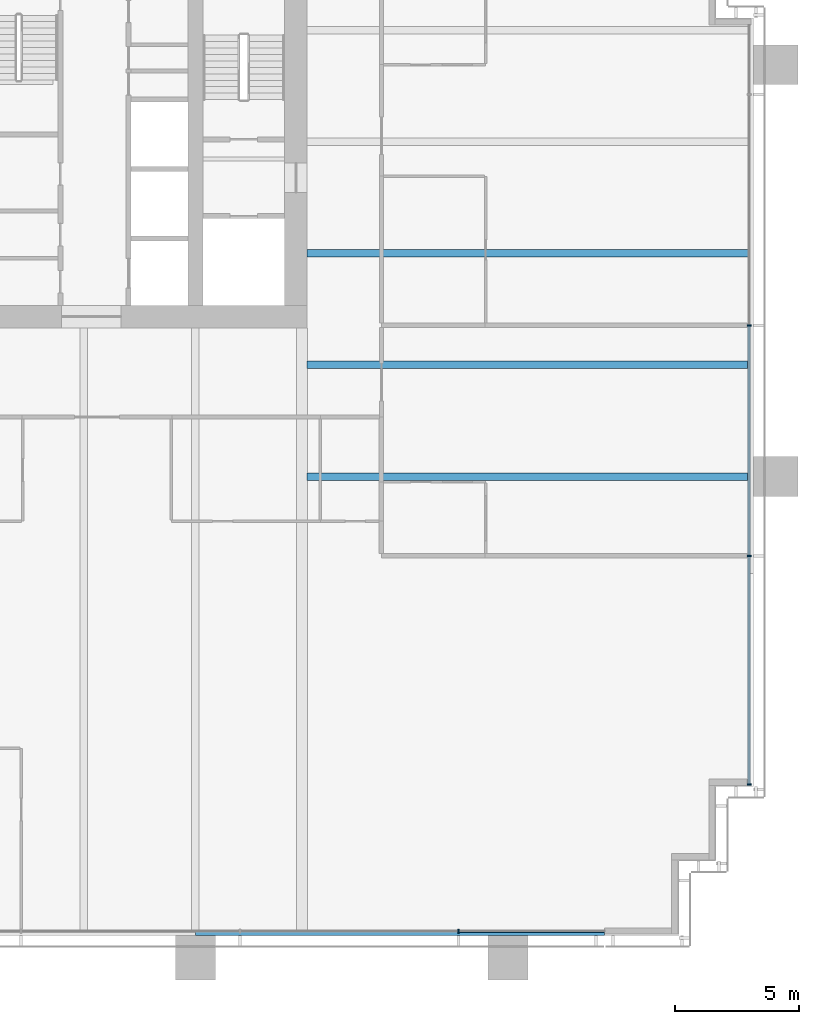
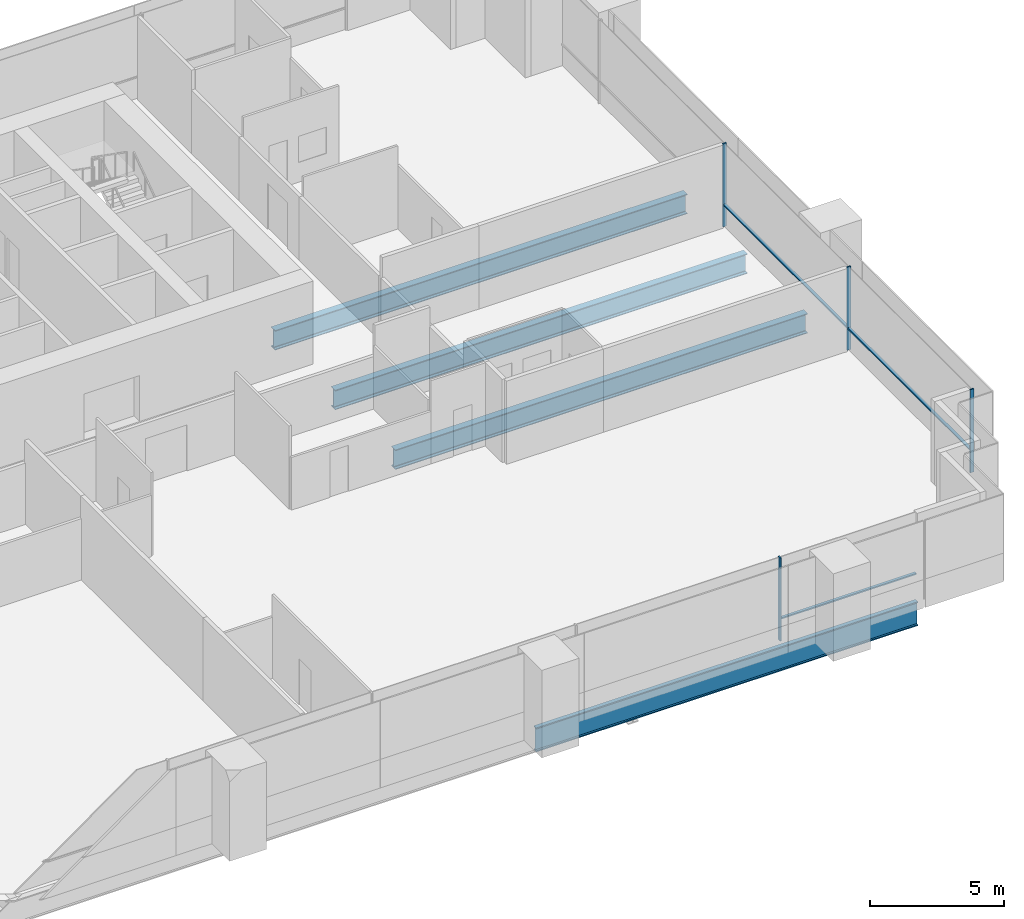
# One storey, part 6 of 19: 7 members, 4 beams, 2 elements without a shape of their own.
"""IFC4 building model written with IfcOpenShell, lengths in metres."""

import ifcopenshell
import ifcopenshell.guid

model = None  # the IFC model being written
_history = None  # IfcOwnerHistory: only IFC2X3 demands one
_inside = {}  # id of a spatial element -> (the spatial element, [elements in it])
_under = {}  # id of a project, library or spatial element -> (it, [spatial elements below it])
_declared = {}  # id of a project -> (the project, [libraries it declares])
_typed = {}  # id of a type object -> (the type object, [elements of that type])
_made_of = {}  # id of a material, layer set ... -> (it, [elements and type objects made of it])


def new_model(schema):
    """Start an empty IFC model of exactly this schema.

    Asked for "IFC4X3", IfcOpenShell would pick the latest addendum, in which some entities
    have other attributes; the version numbers below select the first issue.
    IFC2X3 requires an IfcOwnerHistory on every rooted entity: one is made here for all.
    """
    global model, _history
    if schema == "IFC4X3":
        model = ifcopenshell.file(schema_version=(4, 3, 0, 0))
    else:
        model = ifcopenshell.file(schema=schema)
    _inside.clear()
    _under.clear()
    _declared.clear()
    _typed.clear()
    _made_of.clear()
    _history = None
    if model.schema == "IFC2X3":
        org = make("IfcOrganization", Name="unknown")
        user = make(
            "IfcPersonAndOrganization",
            ThePerson=make("IfcPerson", FamilyName="unknown"),
            TheOrganization=org,
        )
        app = make(
            "IfcApplication",
            ApplicationDeveloper=org,
            Version="unknown",
            ApplicationFullName="unknown",
            ApplicationIdentifier="unknown",
        )
        _history = make(
            "IfcOwnerHistory",
            OwningUser=user,
            OwningApplication=app,
            ChangeAction="ADDED",
            CreationDate=0,
        )
    return model


def make(cls, **values):
    """One entity of the class cls with the attributes given. An attribute that is None is left unset."""
    return model.create_entity(
        cls, **{name: value for name, value in values.items() if value is not None}
    )


def rooted(cls, **values):
    """An entity with a GlobalId (a new one), such as an element, a storey or a relation."""
    return make(cls, GlobalId=ifcopenshell.guid.new(), OwnerHistory=_history, **values)


def si_unit(unit_type, name, prefix=None):
    """IfcSIUnit, for example si_unit("LENGTHUNIT", "METRE", prefix="MILLI")."""
    return make("IfcSIUnit", UnitType=unit_type, Prefix=prefix, Name=name)


def assignment(units):
    """IfcUnitAssignment: the units of a project."""
    return None if units is None else make("IfcUnitAssignment", Units=units)


def point(xyz):
    """IfcCartesianPoint."""
    return None if xyz is None else make("IfcCartesianPoint", Coordinates=xyz)


def direction(xyz):
    """IfcDirection."""
    return None if xyz is None else make("IfcDirection", DirectionRatios=xyz)


def frame(location, z_axis=None, x_axis=None):
    """IfcAxis2Placement3D, a coordinate frame: its origin and axes. An axis left out is left unset."""
    return make(
        "IfcAxis2Placement3D",
        Location=point(location),
        Axis=direction(z_axis),
        RefDirection=direction(x_axis),
    )


def frame_2d(location, x_axis=None):
    """IfcAxis2Placement2D, a coordinate frame in the plane: its origin and x axis."""
    return make(
        "IfcAxis2Placement2D", Location=point(location), RefDirection=direction(x_axis)
    )


def origin():
    """The frame at (0, 0, 0) with its axes left unset."""
    return frame((0.0, 0.0, 0.0))


def origin_2d():
    """The frame at (0, 0) in the plane with its x axis left unset."""
    return frame_2d((0.0, 0.0))


def place(relative_to, where):
    """IfcLocalPlacement: puts the frame where relative to a parent placement (None: the world)."""
    return make(
        "IfcLocalPlacement", PlacementRelTo=relative_to, RelativePlacement=where
    )


def context(
    kind, dimensions, precision=None, world=None, true_north=None, identifier=None
):
    """IfcGeometricRepresentationContext, for example the 3D "Model" context."""
    return make(
        "IfcGeometricRepresentationContext",
        ContextIdentifier=identifier,
        ContextType=kind,
        CoordinateSpaceDimension=dimensions,
        Precision=precision,
        WorldCoordinateSystem=world,
        TrueNorth=true_north,
    )


def subcontext(parent, identifier, kind, view, scale=None):
    """IfcGeometricRepresentationSubContext, for example "Body" below "Model"."""
    return make(
        "IfcGeometricRepresentationSubContext",
        ContextIdentifier=identifier,
        ContextType=kind,
        ParentContext=parent,
        TargetScale=scale,
        TargetView=view,
    )


def project(units=None, contexts=None):
    """IfcProject with its units and contexts."""
    return rooted(
        "IfcProject",
        Name="project",
        RepresentationContexts=contexts,
        UnitsInContext=assignment(units),
    )


def spatial(cls, under=None, at=None, **own):
    """A site, building, storey or space (cls), placed at a placement, below another one or the project."""
    s = rooted(cls, ObjectPlacement=at, **own)
    if under is not None:
        _under.setdefault(under.id(), (under, []))[1].append(s)
    return s


def profile(cls, at=None, kind="AREA", **sizes):
    """A parametric profile (cls). Its sizes go by their IFC names, for example OverallWidth=200.0."""
    return make(cls, ProfileType=kind, Position=at, **sizes)


def rectangle(**sizes):
    """IfcRectangleProfileDef."""
    return profile("IfcRectangleProfileDef", **sizes)


def i_section(**sizes):
    """IfcIShapeProfileDef."""
    return profile("IfcIShapeProfileDef", **sizes)


def extrude(swept, where, along, depth):
    """IfcExtrudedAreaSolid: the profile swept, set in the frame where, extruded along a direction by depth."""
    return make(
        "IfcExtrudedAreaSolid",
        SweptArea=swept,
        Position=where,
        ExtrudedDirection=direction(along),
        Depth=depth,
    )


def shape(context_of_items, identifier, shape_type, items):
    """IfcShapeRepresentation: the items that make up one representation, for example the "Body"."""
    return make(
        "IfcShapeRepresentation",
        ContextOfItems=context_of_items,
        RepresentationIdentifier=identifier,
        RepresentationType=shape_type,
        Items=items,
    )


def material(Name=None, Category=None):
    """IfcMaterial."""
    return make("IfcMaterial", Name=Name, Category=Category)


def material_profile(
    of_material, cross_section, Name=None, Category=None, Priority=None
):
    """IfcMaterialProfile: a cross section and its material."""
    return make(
        "IfcMaterialProfile",
        Name=Name,
        Material=of_material,
        Profile=cross_section,
        Priority=Priority,
        Category=Category,
    )


def profile_set(profiles, Name=None, composite=None):
    """IfcMaterialProfileSet."""
    return make(
        "IfcMaterialProfileSet",
        Name=Name,
        MaterialProfiles=profiles,
        CompositeProfile=composite,
    )


def made_of(thing, what):
    """Note that an element or type object is made of a material, layer set ...; save() writes the relation."""
    if what is not None:
        _made_of.setdefault(what.id(), (what, []))[1].append(thing)
    return thing


def type_object(cls, material=None, **own):
    """A type object (cls), such as IfcWallType, which elements share."""
    return made_of(rooted(cls, **own), material)


def element(
    cls,
    number,
    at=None,
    inside=None,
    cuts=None,
    type_object=None,
    material=None,
    context=None,
    identifier="Body",
    shape_type=None,
    held_by="IfcProductDefinitionShape",
    body=None,
    shapes=None,
    **own,
):
    """One element of the class cls, such as IfcWall. Its Tag is "e" and its number.

    at: its placement. inside: the storey or other place that contains it. cuts: it is an
    opening in that element (IfcRelVoidsElement). A single representation is given by context,
    identifier, shape_type and body (its items); several are given by shapes. held_by: the class
    of the entity that holds the representations. save() writes the other relations.
    """
    e = rooted(cls, Tag="e%d" % number, ObjectPlacement=at, **own)
    if body is not None:
        shapes = [shape(context, identifier, shape_type, body)]
    if shapes is not None:
        e.Representation = make(held_by, Representations=shapes)
    if inside is not None:
        _inside.setdefault(inside.id(), (inside, []))[1].append(e)
    if cuts is not None:
        rooted(
            "IfcRelVoidsElement", RelatingBuildingElement=cuts, RelatedOpeningElement=e
        )
    if type_object is not None:
        _typed.setdefault(type_object.id(), (type_object, []))[1].append(e)
    return made_of(e, material)


def aggregate(whole, parts):
    """IfcRelAggregates: a whole, such as a stair, and the parts it consists of."""
    return rooted("IfcRelAggregates", RelatingObject=whole, RelatedObjects=parts)


def save(model, path):
    """Write the relations noted so far, then the file.

    IfcRelAggregates (storeys below a building ...), IfcRelContainedInSpatialStructure (elements
    in a storey), IfcRelDefinesByType, IfcRelAssociatesMaterial and IfcRelDeclares: one each for
    every whole, place, type object, material and project.
    """
    for whole, parts in _under.values():
        aggregate(whole, parts)
    for where, things in _inside.values():
        rooted(
            "IfcRelContainedInSpatialStructure",
            RelatedElements=things,
            RelatingStructure=where,
        )
    for kind, things in _typed.values():
        rooted("IfcRelDefinesByType", RelatedObjects=things, RelatingType=kind)
    for what, things in _made_of.values():
        rooted("IfcRelAssociatesMaterial", RelatedObjects=things, RelatingMaterial=what)
    for by, libraries in _declared.values():
        rooted("IfcRelDeclares", RelatingContext=by, RelatedDefinitions=libraries)
    model.write(path)


model = new_model("IFC4")

# Units and contexts
model_context = context("Model", 3, precision=1e-05, world=origin(), true_north=direction((0.0, 1.0)))
body_context = subcontext(model_context, "Body", "Model", "MODEL_VIEW")
ifc_project = project(units=[si_unit("LENGTHUNIT", "METRE"), si_unit("AREAUNIT", "SQUARE_METRE"), si_unit("VOLUMEUNIT", "CUBIC_METRE"), si_unit("PLANEANGLEUNIT", "RADIAN"), si_unit("MASSUNIT", "GRAM", prefix="KILO")], contexts=[model_context])

# Site, building, storey
site_placement = place(None, origin())
site = spatial("IfcSite", under=ifc_project, at=site_placement, CompositionType="ELEMENT")
building_placement = place(site_placement, origin())
building = spatial("IfcBuilding", under=site, at=building_placement, Name="Rattan Terrace Tower", CompositionType="ELEMENT")
storey_placement = place(building_placement, frame((0.0, 0.0, 87.699951171875)))
storey = spatial("IfcBuildingStorey", under=building, at=storey_placement, Name="L19", CompositionType="ELEMENT", Elevation=87.699951171875)

# Curtain wall, members
ifc_material_1 = material(Name="Aluminium and glass", Category="aluminium")
curtain_wall_type = type_object("IfcCurtainWallType", Name="Facade Unitised Curtain Wall", PredefinedType="NOTDEFINED", material=ifc_material_1)
curtain_wall_1_placement = place(storey_placement, origin())
curtain_wall_1 = element("IfcCurtainWall", 1, at=curtain_wall_1_placement, inside=storey, type_object=curtain_wall_type, Name="Curtain wall L19-1", PredefinedType="NOTDEFINED")
ifc_material_2 = material(Name="Aluminium", Category="aluminium")
ifc_material_profile_1 = material_profile(ifc_material_2, rectangle(XDim=0.06005859375, YDim=0.159912109375, at=origin_2d()), Name="Aluminium 60x160")
ifc_profile_set_1 = profile_set([ifc_material_profile_1], Name="Aluminium")
member_type_1 = type_object("IfcMemberType", Name="Facade CW Mullion 60x160", PredefinedType="MULLION", material=ifc_profile_set_1)
member_1_placement = place(storey_placement, frame((35.830078125, -25.925048828125, 0.0), z_axis=(0.0, 0.0, 1.0), x_axis=(0.0, 1.0, 0.0)))
member_1 = element("IfcMember", 2, at=member_1_placement, type_object=member_type_1, Name="Mullion cwl-L19-001.1", PredefinedType="MULLION", context=body_context, shape_type="SweptSolid", body=[
    extrude(rectangle(XDim=0.06005859375, YDim=0.159912109375, at=origin_2d()), origin(), (0.0, 0.0, 1.0), 3.800048828125),
])
member_2_placement = place(storey_placement, frame((35.830078125, -16.699951171875, 0.0), z_axis=(0.0, 0.0, 1.0), x_axis=(0.0, 1.0, 0.0)))
member_2 = element("IfcMember", 3, at=member_2_placement, type_object=member_type_1, Name="Mullion cwl-L19-001.2", PredefinedType="MULLION", context=body_context, shape_type="SweptSolid", body=[
    extrude(rectangle(XDim=0.06005859375, YDim=0.159912109375, at=origin_2d()), origin(), (0.0, 0.0, 1.0), 3.800048828125),
])
member_3_placement = place(storey_placement, frame((35.830078125, -7.39990234375, 0.0), z_axis=(0.0, 0.0, 1.0), x_axis=(0.0, 1.0, 0.0)))
member_3 = element("IfcMember", 4, at=member_3_placement, type_object=member_type_1, Name="Mullion cwl-L19-001.3", PredefinedType="MULLION", context=body_context, shape_type="SweptSolid", body=[
    extrude(rectangle(XDim=0.06005859375, YDim=0.159912109375, at=origin_2d()), origin(), (0.0, 0.0, 1.0), 3.800048828125),
])

# Curtain wall, member
curtain_wall_2_placement = place(storey_placement, origin())
curtain_wall_2 = element("IfcCurtainWall", 5, at=curtain_wall_2_placement, inside=storey, type_object=curtain_wall_type, Name="Curtain wall L19-4", PredefinedType="NOTDEFINED")
member_4_placement = place(storey_placement, frame((24.114990234375, -31.830078125, 0.0), z_axis=(0.0, 0.0, 1.0), x_axis=(1.0, 0.0, 0.0)))
member_4 = element("IfcMember", 6, at=member_4_placement, type_object=member_type_1, Name="Mullion cwl-L19-004.6", PredefinedType="MULLION", context=body_context, shape_type="SweptSolid", body=[
    extrude(rectangle(XDim=0.06005859375, YDim=0.159912109375, at=origin_2d()), origin(), (0.0, 0.0, 1.0), 3.800048828125),
])

# Member
ifc_material_3 = material(Name="Aluminium", Category="aluminium")
ifc_material_profile_2 = material_profile(ifc_material_3, rectangle(XDim=0.1201171875, YDim=0.06005859375, at=origin_2d()), Name="Aluminium 120x60")
ifc_profile_set_2 = profile_set([ifc_material_profile_2], Name="Aluminium")
member_type_2 = type_object("IfcMemberType", Name="Facade CW Transom 120x60", PredefinedType="USERDEFINED", material=ifc_profile_set_2)
member_5_placement = place(storey_placement, frame((35.830078125, -25.89501953125, 1.0), z_axis=(0.0, 1.0, 0.0), x_axis=(-1.0, 0.0, 0.0)))
member_5 = element("IfcMember", 7, at=member_5_placement, type_object=member_type_2, Name="Transom cwl-L19-001.1", ObjectType="TRANSOM", PredefinedType="USERDEFINED", context=body_context, shape_type="SweptSolid", body=[
    extrude(rectangle(XDim=0.1201171875, YDim=0.06005859375, at=origin_2d()), origin(), (0.0, 0.0, 1.0), 9.1650390625),
])

member_6_placement = place(storey_placement, frame((35.830078125, -16.669921875, 1.0), z_axis=(0.0, 1.0, 0.0), x_axis=(-1.0, 0.0, 0.0)))
member_6 = element("IfcMember", 8, at=member_6_placement, type_object=member_type_2, Name="Transom cwl-L19-001.2", ObjectType="TRANSOM", PredefinedType="USERDEFINED", context=body_context, shape_type="SweptSolid", body=[
    extrude(rectangle(XDim=0.1201171875, YDim=0.06005859375, at=origin_2d()), origin(), (0.0, 0.0, 1.0), 9.239990234375),
])

aggregate(curtain_wall_1, [member_1, member_2, member_3, member_5, member_6])

member_7_placement = place(storey_placement, frame((24.14501953125, -31.830078125, 1.0), z_axis=(1.0, 0.0, 0.0), x_axis=(0.0, 1.0, 0.0)))
member_7 = element("IfcMember", 9, at=member_7_placement, type_object=member_type_2, Name="Transom cwl-L19-004.6", ObjectType="TRANSOM", PredefinedType="USERDEFINED", context=body_context, shape_type="SweptSolid", body=[
    extrude(rectangle(XDim=0.1201171875, YDim=0.06005859375, at=origin_2d()), origin(), (0.0, 0.0, 1.0), 5.85498046875),
])

aggregate(curtain_wall_2, [member_4, member_7])

# Beams
ifc_material_4 = material(Name="Steel S460", Category="steel")
ifc_material_profile_3 = material_profile(ifc_material_4, i_section(OverallWidth=0.179931640625, OverallDepth=1.10009765625, WebThickness=0.01611328125, FlangeThickness=0.050048828125, at=origin_2d()), Name="PG 1100x180-16-50")
ifc_profile_set_3 = profile_set([ifc_material_profile_3], Name="Steel S460")
beam_type_1 = type_object("IfcBeamType", Name="Frame edge girder PG 1100x180-16-50", PredefinedType="SPANDREL", material=ifc_profile_set_3)
beam_placement = place(storey_placement, frame((30.0, -31.909912109375, -0.75), z_axis=(-1.0, 0.0, 0.0), x_axis=(0.0, -1.0, 0.0)))
element("IfcBeam", 10, at=beam_placement, inside=storey, type_object=beam_type_1, Name="gdr-L19-003", PredefinedType="SPANDREL", context=body_context, shape_type="SweptSolid", body=[
    extrude(i_section(OverallWidth=0.179931640625, OverallDepth=1.10009765625, WebThickness=0.01611328125, FlangeThickness=0.050048828125, at=origin_2d()), origin(), (0.0, 0.0, 1.0), 16.5),
])
ifc_material_5 = material(Name="Steel S355", Category="steel")
ifc_material_profile_4 = material_profile(ifc_material_5, i_section(OverallWidth=0.300048828125, OverallDepth=0.89990234375, WebThickness=0.0185546875, FlangeThickness=0.034912109375, FilletRadius=0.030029296875, at=origin_2d()), Name="HE 900 B")
ifc_profile_set_4 = profile_set([ifc_material_profile_4], Name="Steel S355")
beam_type_2 = type_object("IfcBeamType", Name="Frame floor beam HE 900 B", PredefinedType="JOIST", material=ifc_profile_set_4)
for number, where, z_axis, x_axis, name in (
    (11, (18.0, -13.5, -0.64990234375), (1.0, 0.0, 0.0), (0.0, 1.0, 0.0), "bm-L19-010"),
    (12, (18.0, -9.0, -0.64990234375), (1.0, 0.0, 0.0), (0.0, 1.0, 0.0), "bm-L19-011"),
    (13, (18.0, -4.5, -0.64990234375), (1.0, 0.0, 0.0), (0.0, 1.0, 0.0), "bm-L19-013"),
):
    element("IfcBeam", number, at=place(storey_placement, frame(where, z_axis=z_axis, x_axis=x_axis)), inside=storey, type_object=beam_type_2, Name=name, PredefinedType="JOIST", context=body_context, shape_type="SweptSolid", body=[
        extrude(i_section(OverallWidth=0.300048828125, OverallDepth=0.89990234375, WebThickness=0.0185546875, FlangeThickness=0.034912109375, FilletRadius=0.030029296875, at=origin_2d()), origin(), (0.0, 0.0, 1.0), 17.820068359375),
    ])

save(model, "model.ifc")
